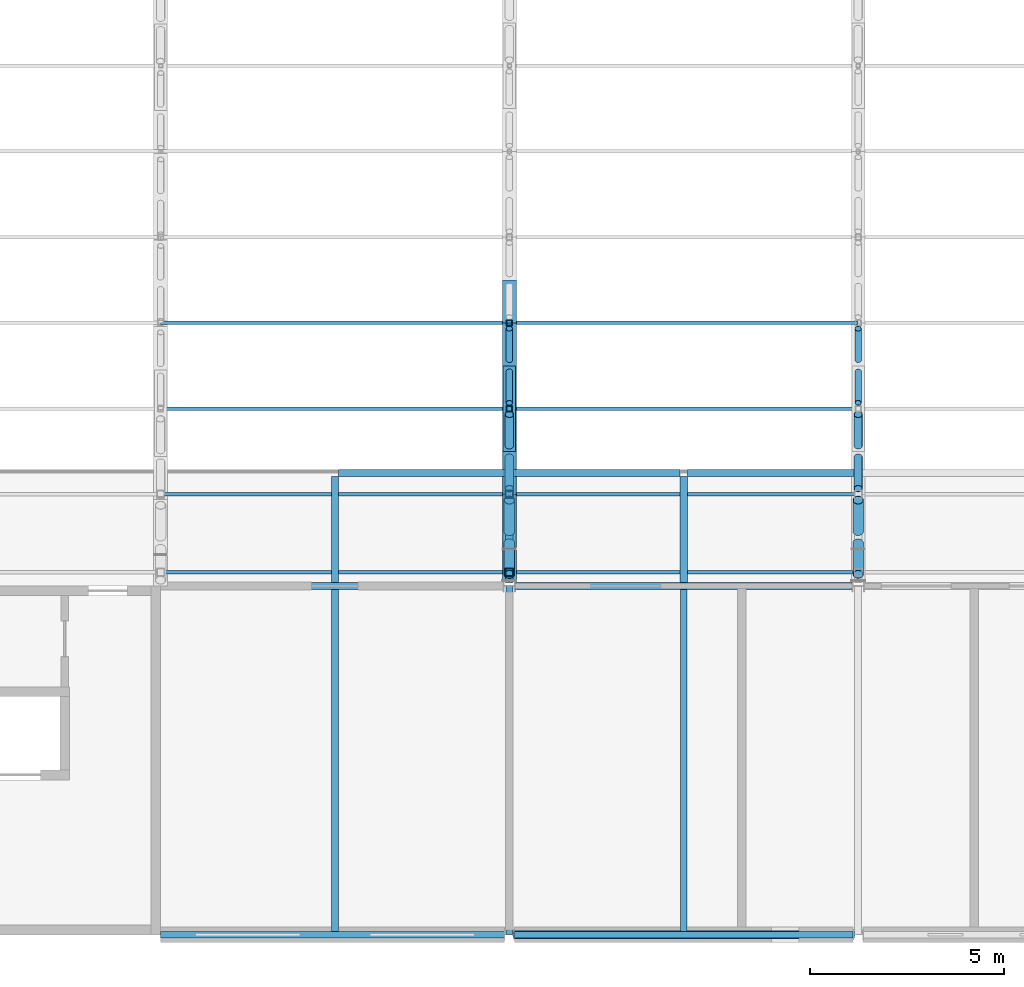
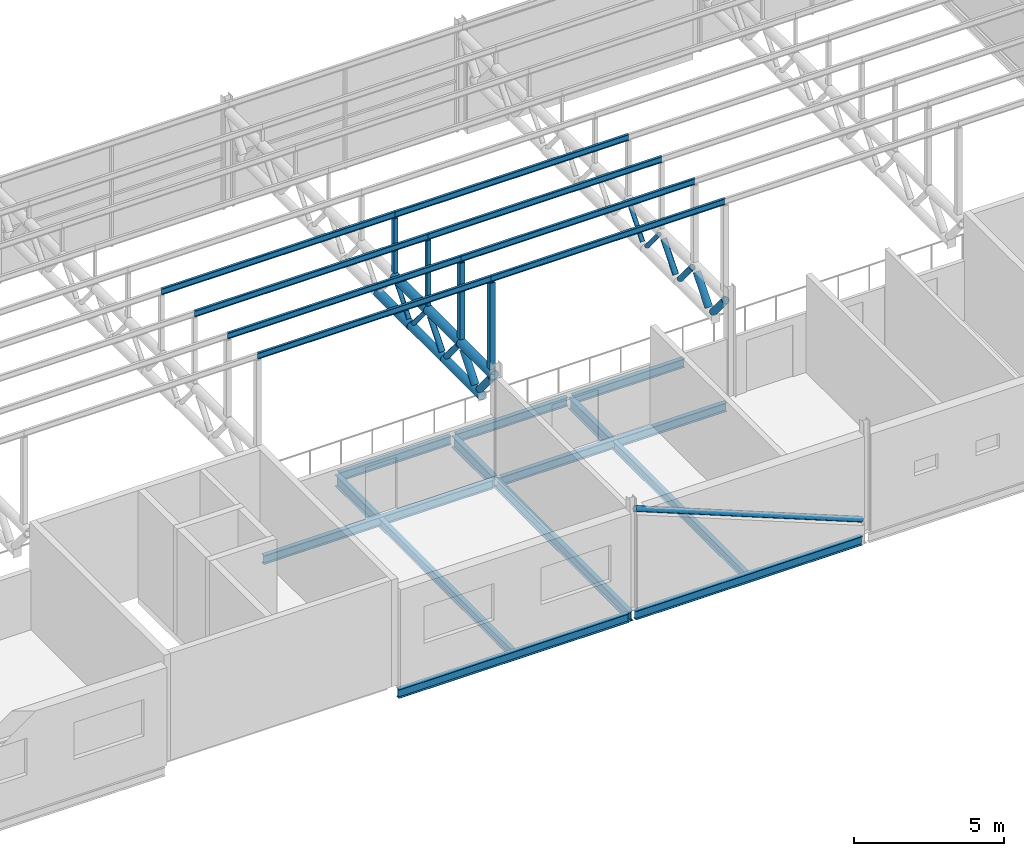
# One storey, part 73 of 138: 31 members, 13 beams.
"""IFC4 building model written with IfcOpenShell, lengths in metres."""

from ifc_helpers import new_model, si_unit, direction, frame, origin, origin_2d, place, context, subcontext, project, spatial, hollow_rectangle, hollow_circle, i_section, extrude, material, material_profile, profile_set, type_object, element, save


model = new_model("IFC4")

# Units and contexts
model_context = context("Model", 3, precision=1e-05, world=origin(), true_north=direction((0.0, 1.0)))
body_context = subcontext(model_context, "Body", "Model", "MODEL_VIEW")
ifc_project = project(units=[si_unit("LENGTHUNIT", "METRE"), si_unit("AREAUNIT", "SQUARE_METRE"), si_unit("VOLUMEUNIT", "CUBIC_METRE"), si_unit("PLANEANGLEUNIT", "RADIAN"), si_unit("MASSUNIT", "GRAM", prefix="KILO")], contexts=[model_context])

# Site, building, storey
site_placement = place(None, origin())
site = spatial("IfcSite", under=ifc_project, at=site_placement, CompositionType="ELEMENT")
building_placement = place(site_placement, origin())
building = spatial("IfcBuilding", under=site, at=building_placement, Name="Corbel Yard City Hall", CompositionType="ELEMENT")
storey_placement = place(building_placement, frame((0.0, 0.0, 10.5)))
storey = spatial("IfcBuildingStorey", under=building, at=storey_placement, Name="L02", CompositionType="ELEMENT", Elevation=10.5)

# Beam
ifc_material_1 = material(Name="Steel Grade 300 (300 MPa yield)", Category="steel")
ifc_material_profile_1 = material_profile(ifc_material_1, i_section(OverallWidth=0.177978515625, OverallDepth=0.403076171875, WebThickness=0.007568359375, FlangeThickness=0.010986328125, at=origin_2d()), Name="410UB53.7")
ifc_profile_set_1 = profile_set([ifc_material_profile_1], Name="Steel Grade 300 (300 MPa yield)")
beam_type_1 = type_object("IfcBeamType", Name="Beam 410UB53.7", PredefinedType="BEAM", material=ifc_profile_set_1)
beam_1_placement = place(storey_placement, frame((135.0, 0.00537109375, -0.3515625), z_axis=(0.0, 1.0, 0.0), x_axis=(-1.0, 0.0, 0.0)))
element("IfcBeam", 1, at=beam_1_placement, inside=storey, type_object=beam_type_1, Name="Beam 410UB53.7 SB6 L02floor", PredefinedType="BEAM", context=body_context, shape_type="SweptSolid", body=[
    extrude(i_section(OverallWidth=0.177978515625, OverallDepth=0.403076171875, WebThickness=0.007568359375, FlangeThickness=0.010986328125, at=origin_2d()), origin(), (0.0, 0.0, 1.0), 8.98876953125),
])

# Member
ifc_material_2 = material(Name="Steel Grade C350L0", Category="steel")
ifc_material_profile_2 = material_profile(ifc_material_2, hollow_circle(Radius=0.109619140625, WallThickness=0.00830078125, at=origin_2d()), Name="219.1x8.2CHS")
ifc_profile_set_2 = profile_set([ifc_material_profile_2], Name="Steel Grade C350L0")
member_type_1 = type_object("IfcMemberType", Name="Braced bay diagonal 219.1x8.2CHS", PredefinedType="BRACE", material=ifc_profile_set_2)
member_1_placement = place(storey_placement, frame((135.126953125, 0.0, 4.0), z_axis=(0.928419485655, 0.0, -0.371533657502), x_axis=(0.0, 1.0, 0.0)))
element("IfcMember", 2, at=member_1_placement, inside=storey, type_object=member_type_1, Name="Brace 219.1x8.2CHS BR2", PredefinedType="BRACE", context=body_context, shape_type="SweptSolid", body=[
    extrude(hollow_circle(Radius=0.109619140625, WallThickness=0.00830078125, at=origin_2d()), origin(), (0.0, 0.0, 1.0), 9.42041015625),
])

# Beams
ifc_material_profile_3 = material_profile(ifc_material_1, i_section(OverallWidth=0.172119140625, OverallDepth=0.35888671875, WebThickness=0.008056640625, FlangeThickness=0.012939453125, at=origin_2d()), Name="360UB56.7")
ifc_profile_set_3 = profile_set([ifc_material_profile_3], Name="Steel Grade 300 (300 MPa yield)")
beam_type_2 = type_object("IfcBeamType", Name="Edge beam 360UB56.7", PredefinedType="BEAM", material=ifc_profile_set_3)
beam_2_placement = place(storey_placement, frame((126.0, 0.0, -0.32958984375), z_axis=(1.0, 0.0, 0.0), x_axis=(0.0, 1.0, 0.0)))
element("IfcBeam", 3, at=beam_2_placement, inside=storey, type_object=beam_type_2, Name="Edge beam 360UB56.7 EB4 L02floor", PredefinedType="BEAM", context=body_context, shape_type="SweptSolid", body=[
    extrude(i_section(OverallWidth=0.172119140625, OverallDepth=0.35888671875, WebThickness=0.008056640625, FlangeThickness=0.012939453125, at=origin_2d()), origin(), (0.0, 0.0, 1.0), 8.8701171875),
])
beam_3_placement = place(storey_placement, frame((135.1298828125, 0.0, -0.32958984375), z_axis=(1.0, 0.0, 0.0), x_axis=(0.0, 1.0, 0.0)))
element("IfcBeam", 4, at=beam_3_placement, inside=storey, type_object=beam_type_2, Name="Edge beam 360UB56.7 EB4 L02floor", PredefinedType="BEAM", context=body_context, shape_type="SweptSolid", body=[
    extrude(i_section(OverallWidth=0.172119140625, OverallDepth=0.35888671875, WebThickness=0.008056640625, FlangeThickness=0.012939453125, at=origin_2d()), origin(), (0.0, 0.0, 1.0), 8.740234375),
])
beam_4_placement = place(storey_placement, frame((126.0, 9.0, -0.32958984375), z_axis=(1.0, 0.0, 0.0), x_axis=(0.0, 1.0, 0.0)))
element("IfcBeam", 5, at=beam_4_placement, inside=storey, type_object=beam_type_2, Name="Edge beam 360UB56.7 EB4 L02floor", PredefinedType="BEAM", context=body_context, shape_type="SweptSolid", body=[
    extrude(i_section(OverallWidth=0.172119140625, OverallDepth=0.35888671875, WebThickness=0.008056640625, FlangeThickness=0.012939453125, at=origin_2d()), origin(), (0.0, 0.0, 1.0), 8.842529296875),
])
beam_5_placement = place(storey_placement, frame((135.157470703125, 9.0, -0.32958984375), z_axis=(1.0, 0.0, 0.0), x_axis=(0.0, 1.0, 0.0)))
element("IfcBeam", 6, at=beam_5_placement, inside=storey, type_object=beam_type_2, Name="Edge beam 360UB56.7 EB4 L02floor", PredefinedType="BEAM", context=body_context, shape_type="SweptSolid", body=[
    extrude(i_section(OverallWidth=0.172119140625, OverallDepth=0.35888671875, WebThickness=0.008056640625, FlangeThickness=0.012939453125, at=origin_2d()), origin(), (0.0, 0.0, 1.0), 8.68505859375),
])
ifc_material_profile_4 = material_profile(ifc_material_1, i_section(OverallWidth=0.18994140625, OverallDepth=0.4541015625, WebThickness=0.008544921875, FlangeThickness=0.0126953125, at=origin_2d()), Name="460UB67.1")
ifc_profile_set_4 = profile_set([ifc_material_profile_4], Name="Steel Grade 300 (300 MPa yield)")
beam_type_3 = type_object("IfcBeamType", Name="Gallery bracket 460UB67.1", PredefinedType="BEAM", material=ifc_profile_set_4)
for number, where, z_axis, x_axis, name in (
    (7, (130.5, 9.0859375, -0.376953125), (0.0, 1.0, 0.0), (-1.0, 0.0, 0.0), "Gallery bracket 460UB67.1 CB2 L02"),
    (8, (135.0, 9.0859375, -0.376953125), (0.0, 1.0, 0.0), (-1.0, 0.0, 0.0), "Gallery bracket 460UB67.1 CB2 L02"),
    (9, (139.5, 9.0859375, -0.376953125), (0.0, 1.0, 0.0), (-1.0, 0.0, 0.0), "Gallery bracket 460UB67.1 CB2 L02"),
):
    element("IfcBeam", number, at=place(storey_placement, frame(where, z_axis=z_axis, x_axis=x_axis)), inside=storey, type_object=beam_type_3, Name=name, PredefinedType="BEAM", context=body_context, shape_type="SweptSolid", body=[
        extrude(i_section(OverallWidth=0.18994140625, OverallDepth=0.4541015625, WebThickness=0.008544921875, FlangeThickness=0.0126953125, at=origin_2d()), origin(), (0.0, 0.0, 1.0), 2.7431640625),
    ])
ifc_material_profile_5 = material_profile(ifc_material_1, i_section(OverallWidth=0.1708984375, OverallDepth=0.35205078125, WebThickness=0.0068359375, FlangeThickness=0.009765625, at=origin_2d()), Name="360UB44.7")
ifc_profile_set_5 = profile_set([ifc_material_profile_5], Name="Steel Grade 300 (300 MPa yield)")
beam_type_4 = type_object("IfcBeamType", Name="Gallery edge beam 360UB44.7", PredefinedType="BEAM", material=ifc_profile_set_5)
for number, where, z_axis, x_axis, name in (
    (10, (130.594970703125, 11.91455078125, -0.325927734375), (1.0, 0.0, 0.0), (0.0, 1.0, 0.0), "Gallery edge beam 360UB44.7 EB13 L02"),
    (11, (135.094970703125, 11.91455078125, -0.325927734375), (1.0, 0.0, 0.0), (0.0, 1.0, 0.0), "Gallery edge beam 360UB44.7 EB13 L02"),
    (12, (139.594970703125, 11.91455078125, -0.325927734375), (1.0, 0.0, 0.0), (0.0, 1.0, 0.0), "Gallery edge beam 360UB44.7 EB13 L02"),
):
    element("IfcBeam", number, at=place(storey_placement, frame(where, z_axis=z_axis, x_axis=x_axis)), inside=storey, type_object=beam_type_4, Name=name, PredefinedType="BEAM", context=body_context, shape_type="SweptSolid", body=[
        extrude(i_section(OverallWidth=0.1708984375, OverallDepth=0.35205078125, WebThickness=0.0068359375, FlangeThickness=0.009765625, at=origin_2d()), origin(), (0.0, 0.0, 1.0), 4.31005859375),
    ])

# Members
ifc_material_profile_6 = material_profile(ifc_material_2, hollow_circle(Radius=0.161865234375, WallThickness=0.0126953125, at=origin_2d()), Name="323.9x12.7CHS")
ifc_profile_set_6 = profile_set([ifc_material_profile_6], Name="Steel Grade C350L0")
member_type_2 = type_object("IfcMemberType", Name="Hall roof truss bottom chord 323.9x12.7CHS", PredefinedType="CHORD", material=ifc_profile_set_6)
member_2_placement = place(storey_placement, frame((135.0, 9.95849609375, 2.59228515625), z_axis=(0.0, 1.0, 0.0), x_axis=(-1.0, 0.0, 0.0)))
element("IfcMember", 13, at=member_2_placement, inside=storey, type_object=member_type_2, Name="Hall roof truss bottom chord 323.9x12.7CHS TC2", PredefinedType="CHORD", context=body_context, shape_type="SweptSolid", body=[
    extrude(hollow_circle(Radius=0.161865234375, WallThickness=0.0126953125, at=origin_2d()), origin(), (0.0, 0.0, 1.0), 2.51171875),
])
member_3_placement = place(storey_placement, frame((135.0, 12.47021484375, 2.59228515625), z_axis=(0.0, 1.0, 0.0), x_axis=(-1.0, 0.0, 0.0)))
element("IfcMember", 14, at=member_3_placement, inside=storey, type_object=member_type_2, Name="Hall roof truss bottom chord 323.9x12.7CHS TC2", PredefinedType="CHORD", context=body_context, shape_type="SweptSolid", body=[
    extrude(hollow_circle(Radius=0.161865234375, WallThickness=0.0126953125, at=origin_2d()), origin(), (0.0, 0.0, 1.0), 2.2119140625),
])
ifc_material_profile_7 = material_profile(ifc_material_2, hollow_circle(Radius=0.177734375, WallThickness=0.0126953125, at=origin_2d()), Name="355.6x12.7CHS")
ifc_profile_set_7 = profile_set([ifc_material_profile_7], Name="Steel Grade C350L0")
member_type_3 = type_object("IfcMemberType", Name="Hall roof truss bottom chord 355.6x12.7CHS", PredefinedType="CHORD", material=ifc_profile_set_7)
member_4_placement = place(storey_placement, frame((135.0, 14.68212890625, 2.59228515625), z_axis=(0.0, 1.0, 0.0), x_axis=(-1.0, 0.0, 0.0)))
element("IfcMember", 15, at=member_4_placement, inside=storey, type_object=member_type_3, Name="Hall roof truss bottom chord 355.6x12.7CHS TC3", PredefinedType="CHORD", context=body_context, shape_type="SweptSolid", body=[
    extrude(hollow_circle(Radius=0.177734375, WallThickness=0.0126953125, at=origin_2d()), origin(), (0.0, 0.0, 1.0), 2.2119140625),
])
ifc_material_profile_8 = material_profile(ifc_material_2, hollow_circle(Radius=0.084228515625, WallThickness=0.007080078125, at=origin_2d()), Name="168.3x7.1CHS")
ifc_profile_set_8 = profile_set([ifc_material_profile_8], Name="Steel Grade C350L0")
member_type_4 = type_object("IfcMemberType", Name="Hall roof truss diagonal 168.3x7.1CHS", PredefinedType="STRUT", material=ifc_profile_set_8)
for number, where, z_axis, x_axis, name in (
    (16, (135.0, 13.72412109375, 3.744384765625), (0.0, 0.639407153698, -0.768868318894), (-1.0, 0.0, 0.0), "Hall roof truss diagonal 168.3x7.1CHS TD3"),
    (17, (135.0, 14.830078125, 2.77001953125), (0.0, 0.639407153698, 0.768868318894), (-1.0, 0.0, 0.0), "Hall roof truss diagonal 168.3x7.1CHS TD3"),
    (18, (144.0, 13.72412109375, 3.744384765625), (0.0, 0.639407153698, -0.768868318894), (-1.0, 0.0, 0.0), "Hall roof truss diagonal 168.3x7.1CHS TD3"),
    (19, (144.0, 14.830078125, 2.77001953125), (0.0, 0.639407153698, 0.768868318894), (-1.0, 0.0, 0.0), "Hall roof truss diagonal 168.3x7.1CHS TD3"),
):
    element("IfcMember", number, at=place(storey_placement, frame(where, z_axis=z_axis, x_axis=x_axis)), inside=storey, type_object=member_type_4, Name=name, PredefinedType="STRUT", context=body_context, shape_type="SweptSolid", body=[
        extrude(hollow_circle(Radius=0.084228515625, WallThickness=0.007080078125, at=origin_2d()), origin(), (0.0, 0.0, 1.0), 1.267333984375),
    ])
ifc_material_profile_9 = material_profile(ifc_material_2, hollow_circle(Radius=0.109619140625, WallThickness=0.00830078125, at=origin_2d()), Name="219.1x8.2CHS")
ifc_profile_set_9 = profile_set([ifc_material_profile_9], Name="Steel Grade C350L0")
member_type_5 = type_object("IfcMemberType", Name="Hall roof truss diagonal 219.1x8.2CHS", PredefinedType="STRUT", material=ifc_profile_set_9)
for number, where, z_axis, x_axis, name in (
    (20, (135.0, 11.51220703125, 3.744384765625), (0.0, 0.639407153698, -0.768868318894), (-1.0, 0.0, 0.0), "Hall roof truss diagonal 219.1x8.2CHS TD2"),
    (21, (135.0, 12.6181640625, 2.77001953125), (0.0, 0.639407153698, 0.768868318894), (-1.0, 0.0, 0.0), "Hall roof truss diagonal 219.1x8.2CHS TD2"),
    (22, (144.0, 11.51220703125, 3.744384765625), (0.0, 0.639407153698, -0.768868318894), (-1.0, 0.0, 0.0), "Hall roof truss diagonal 219.1x8.2CHS TD2"),
    (23, (144.0, 12.6181640625, 2.77001953125), (0.0, 0.639407153698, 0.768868318894), (-1.0, 0.0, 0.0), "Hall roof truss diagonal 219.1x8.2CHS TD2"),
):
    element("IfcMember", number, at=place(storey_placement, frame(where, z_axis=z_axis, x_axis=x_axis)), inside=storey, type_object=member_type_5, Name=name, PredefinedType="STRUT", context=body_context, shape_type="SweptSolid", body=[
        extrude(hollow_circle(Radius=0.109619140625, WallThickness=0.00830078125, at=origin_2d()), origin(), (0.0, 0.0, 1.0), 1.267333984375),
    ])
ifc_material_profile_10 = material_profile(ifc_material_2, hollow_circle(Radius=0.136474609375, WallThickness=0.00927734375, at=origin_2d()), Name="273.1x9.3CHS")
ifc_profile_set_10 = profile_set([ifc_material_profile_10], Name="Steel Grade C350L0")
member_type_6 = type_object("IfcMemberType", Name="Hall roof truss diagonal 273.1x9.3CHS", PredefinedType="STRUT", material=ifc_profile_set_10)
for number, where, z_axis, x_axis, name in (
    (24, (135.0, 9.30029296875, 3.744384765625), (0.0, 0.639407153698, -0.768868318894), (-1.0, 0.0, 0.0), "Hall roof truss diagonal 273.1x9.3CHS TD1"),
    (25, (135.0, 10.40625, 2.77001953125), (0.0, 0.639407153698, 0.768868318894), (-1.0, 0.0, 0.0), "Hall roof truss diagonal 273.1x9.3CHS TD1"),
    (26, (144.0, 9.30029296875, 3.744384765625), (0.0, 0.639407153698, -0.768868318894), (-1.0, 0.0, 0.0), "Hall roof truss diagonal 273.1x9.3CHS TD1"),
    (27, (144.0, 10.40625, 2.77001953125), (0.0, 0.639407153698, 0.768868318894), (-1.0, 0.0, 0.0), "Hall roof truss diagonal 273.1x9.3CHS TD1"),
):
    element("IfcMember", number, at=place(storey_placement, frame(where, z_axis=z_axis, x_axis=x_axis)), inside=storey, type_object=member_type_6, Name=name, PredefinedType="STRUT", context=body_context, shape_type="SweptSolid", body=[
        extrude(hollow_circle(Radius=0.136474609375, WallThickness=0.00927734375, at=origin_2d()), origin(), (0.0, 0.0, 1.0), 1.267333984375),
    ])
ifc_material_profile_11 = material_profile(ifc_material_2, hollow_circle(Radius=0.177734375, WallThickness=0.0126953125, at=origin_2d()), Name="355.6x12.7CHS")
ifc_profile_set_11 = profile_set([ifc_material_profile_11], Name="Steel Grade C350L0")
member_type_7 = type_object("IfcMemberType", Name="Hall roof truss top chord 355.6x12.7CHS", PredefinedType="CHORD", material=ifc_profile_set_11)
member_5_placement = place(storey_placement, frame((135.0, 9.152587890625, 3.922119140625), z_axis=(0.0, 1.0, 0.0), x_axis=(-1.0, 0.0, 0.0)))
element("IfcMember", 28, at=member_5_placement, inside=storey, type_object=member_type_7, Name="Hall roof truss top chord 355.6x12.7CHS TC1", PredefinedType="CHORD", context=body_context, shape_type="SweptSolid", body=[
    extrude(hollow_circle(Radius=0.177734375, WallThickness=0.0126953125, at=origin_2d()), origin(), (0.0, 0.0, 1.0), 2.211669921875),
])
for number, where, z_axis, x_axis, name in (
    (29, (135.0, 11.3642578125, 3.922119140625), (0.0, 1.0, 0.0), (-1.0, 0.0, 0.0), "Hall roof truss top chord 355.6x12.7CHS TC1"),
    (30, (135.0, 13.576171875, 3.922119140625), (0.0, 1.0, 0.0), (-1.0, 0.0, 0.0), "Hall roof truss top chord 355.6x12.7CHS TC1"),
):
    element("IfcMember", number, at=place(storey_placement, frame(where, z_axis=z_axis, x_axis=x_axis)), inside=storey, type_object=member_type_7, Name=name, PredefinedType="CHORD", context=body_context, shape_type="SweptSolid", body=[
        extrude(hollow_circle(Radius=0.177734375, WallThickness=0.0126953125, at=origin_2d()), origin(), (0.0, 0.0, 1.0), 2.2119140625),
    ])
ifc_material_profile_12 = material_profile(ifc_material_1, i_section(OverallWidth=0.090087890625, OverallDepth=0.25, WebThickness=0.008056640625, FlangeThickness=0.014892578125, at=origin_2d()), Name="250PFC")
ifc_profile_set_12 = profile_set([ifc_material_profile_12], Name="Steel Grade 300 (300 MPa yield)")
member_type_8 = type_object("IfcMemberType", Name="Purlin 250PFC", PredefinedType="PURLIN", material=ifc_profile_set_12)
for number, where, z_axis, x_axis, name in (
    (31, (126.0, 9.3525390625, 7.74560546875), (1.0, 0.0, 0.0), (0.0, 1.0, 0.0), "Purlin 250PFC PU1"),
    (32, (126.0, 11.3642578125, 7.343017578125), (1.0, 0.0, 0.0), (0.0, 1.0, 0.0), "Purlin 250PFC PU1"),
    (33, (126.0, 13.576171875, 6.900634765625), (1.0, 0.0, 0.0), (0.0, 1.0, 0.0), "Purlin 250PFC PU1"),
    (34, (126.0, 15.7880859375, 6.45849609375), (1.0, 0.0, 0.0), (0.0, 1.0, 0.0), "Purlin 250PFC PU1"),
    (35, (135.0, 9.3525390625, 7.74560546875), (1.0, 0.0, 0.0), (0.0, 1.0, 0.0), "Purlin 250PFC PU1"),
    (36, (135.0, 11.3642578125, 7.343017578125), (1.0, 0.0, 0.0), (0.0, 1.0, 0.0), "Purlin 250PFC PU1"),
    (37, (135.0, 13.576171875, 6.900634765625), (1.0, 0.0, 0.0), (0.0, 1.0, 0.0), "Purlin 250PFC PU1"),
    (38, (135.0, 15.7880859375, 6.45849609375), (1.0, 0.0, 0.0), (0.0, 1.0, 0.0), "Purlin 250PFC PU1"),
):
    element("IfcMember", number, at=place(storey_placement, frame(where, z_axis=z_axis, x_axis=x_axis)), inside=storey, type_object=member_type_8, Name=name, PredefinedType="PURLIN", context=body_context, shape_type="SweptSolid", body=[
        extrude(i_section(OverallWidth=0.090087890625, OverallDepth=0.25, WebThickness=0.008056640625, FlangeThickness=0.014892578125, at=origin_2d()), origin(), (0.0, 0.0, 1.0), 9.0),
    ])
ifc_material_3 = material(Name="Steel Grade C450L0", Category="steel")
ifc_material_profile_13 = material_profile(ifc_material_3, hollow_rectangle(XDim=0.14990234375, YDim=0.14990234375, WallThickness=0.009033203125, at=origin_2d()), Name="150x150x9.0SHS")
ifc_profile_set_13 = profile_set([ifc_material_profile_13], Name="Steel Grade C450L0")
member_type_9 = type_object("IfcMemberType", Name="Roof post 150x150x9.0SHS", PredefinedType="POST", material=ifc_profile_set_13)
member_6_placement = place(storey_placement, frame((135.0, 13.576171875, 4.10009765625), z_axis=(0.0, 0.0, 1.0), x_axis=(1.0, 0.0, 0.0)))
element("IfcMember", 39, at=member_6_placement, inside=storey, type_object=member_type_9, Name="Roof post 150x150x9.0SHS RP2", PredefinedType="POST", context=body_context, shape_type="SweptSolid", body=[
    extrude(hollow_rectangle(XDim=0.14990234375, YDim=0.14990234375, WallThickness=0.009033203125, at=origin_2d()), origin(), (0.0, 0.0, 1.0), 2.675537109375),
])
member_7_placement = place(storey_placement, frame((135.0, 15.7880859375, 4.10009765625), z_axis=(0.0, 0.0, 1.0), x_axis=(1.0, 0.0, 0.0)))
element("IfcMember", 40, at=member_7_placement, inside=storey, type_object=member_type_9, Name="Roof post 150x150x9.0SHS RP2", PredefinedType="POST", context=body_context, shape_type="SweptSolid", body=[
    extrude(hollow_rectangle(XDim=0.14990234375, YDim=0.14990234375, WallThickness=0.009033203125, at=origin_2d()), origin(), (0.0, 0.0, 1.0), 2.2333984375),
])
ifc_material_profile_14 = material_profile(ifc_material_3, hollow_rectangle(XDim=0.199951171875, YDim=0.199951171875, WallThickness=0.009033203125, at=origin_2d()), Name="200x200x9.0SHS")
ifc_profile_set_14 = profile_set([ifc_material_profile_14], Name="Steel Grade C450L0")
member_type_10 = type_object("IfcMemberType", Name="Roof post 200x200x9.0SHS", PredefinedType="POST", material=ifc_profile_set_14)
member_8_placement = place(storey_placement, frame((135.0, 9.3525390625, 4.10009765625), z_axis=(0.0, 0.0, 1.0), x_axis=(1.0, 0.0, 0.0)))
element("IfcMember", 41, at=member_8_placement, inside=storey, type_object=member_type_10, Name="Roof post 200x200x9.0SHS RP1", PredefinedType="POST", context=body_context, shape_type="SweptSolid", body=[
    extrude(hollow_rectangle(XDim=0.199951171875, YDim=0.199951171875, WallThickness=0.009033203125, at=origin_2d()), origin(), (0.0, 0.0, 1.0), 3.5205078125),
])
member_9_placement = place(storey_placement, frame((135.0, 11.3642578125, 4.10009765625), z_axis=(0.0, 0.0, 1.0), x_axis=(1.0, 0.0, 0.0)))
element("IfcMember", 42, at=member_9_placement, inside=storey, type_object=member_type_10, Name="Roof post 200x200x9.0SHS RP1", PredefinedType="POST", context=body_context, shape_type="SweptSolid", body=[
    extrude(hollow_rectangle(XDim=0.199951171875, YDim=0.199951171875, WallThickness=0.009033203125, at=origin_2d()), origin(), (0.0, 0.0, 1.0), 3.117919921875),
])

# Beams
ifc_material_profile_15 = material_profile(ifc_material_1, i_section(OverallWidth=0.1708984375, OverallDepth=0.35595703125, WebThickness=0.00732421875, FlangeThickness=0.011474609375, at=origin_2d()), Name="360UB50.7")
ifc_profile_set_15 = profile_set([ifc_material_profile_15], Name="Steel Grade 300 (300 MPa yield)")
beam_type_5 = type_object("IfcBeamType", Name="Secondary beam 360UB50.7", PredefinedType="JOIST", material=ifc_profile_set_15)
for number, where, z_axis, x_axis, name in (
    (43, (130.5, 0.0859375, -0.327880859375), (0.0, 1.0, 0.0), (-1.0, 0.0, 0.0), "Secondary beam 360UB50.7 SB10 L02floor"),
    (44, (139.5, 0.0859375, -0.327880859375), (0.0, 1.0, 0.0), (-1.0, 0.0, 0.0), "Secondary beam 360UB50.7 SB10 L02floor"),
):
    element("IfcBeam", number, at=place(storey_placement, frame(where, z_axis=z_axis, x_axis=x_axis)), inside=storey, type_object=beam_type_5, Name=name, PredefinedType="JOIST", context=body_context, shape_type="SweptSolid", body=[
        extrude(i_section(OverallWidth=0.1708984375, OverallDepth=0.35595703125, WebThickness=0.00732421875, FlangeThickness=0.011474609375, at=origin_2d()), origin(), (0.0, 0.0, 1.0), 8.828125),
    ])

save(model, "model.ifc")
